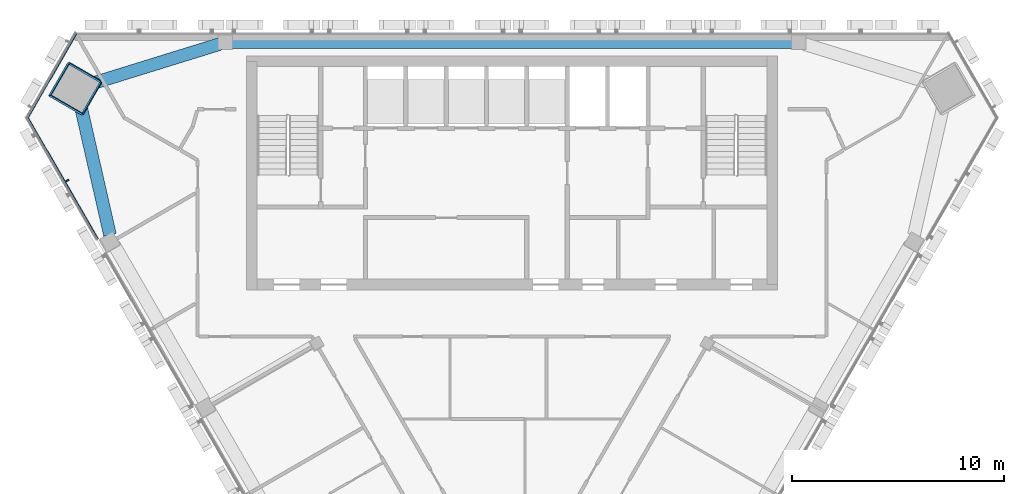
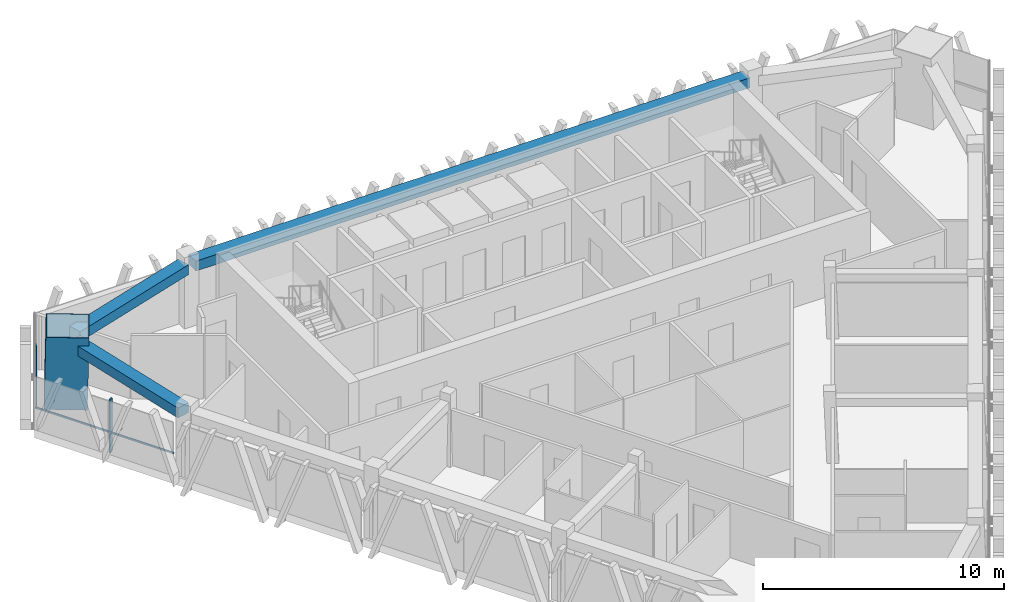
# One storey, part 5 of 12: 4 members, 3 beams, 2 elements without a shape of their own.
"""IFC4 building model written with IfcOpenShell, lengths in metres."""

import ifcopenshell
import ifcopenshell.guid

model = None  # the IFC model being written
_history = None  # IfcOwnerHistory: only IFC2X3 demands one
_inside = {}  # id of a spatial element -> (the spatial element, [elements in it])
_under = {}  # id of a project, library or spatial element -> (it, [spatial elements below it])
_declared = {}  # id of a project -> (the project, [libraries it declares])
_typed = {}  # id of a type object -> (the type object, [elements of that type])
_made_of = {}  # id of a material, layer set ... -> (it, [elements and type objects made of it])


def new_model(schema):
    """Start an empty IFC model of exactly this schema.

    Asked for "IFC4X3", IfcOpenShell would pick the latest addendum, in which some entities
    have other attributes; the version numbers below select the first issue.
    IFC2X3 requires an IfcOwnerHistory on every rooted entity: one is made here for all.
    """
    global model, _history
    if schema == "IFC4X3":
        model = ifcopenshell.file(schema_version=(4, 3, 0, 0))
    else:
        model = ifcopenshell.file(schema=schema)
    _inside.clear()
    _under.clear()
    _declared.clear()
    _typed.clear()
    _made_of.clear()
    _history = None
    if model.schema == "IFC2X3":
        org = make("IfcOrganization", Name="unknown")
        user = make(
            "IfcPersonAndOrganization",
            ThePerson=make("IfcPerson", FamilyName="unknown"),
            TheOrganization=org,
        )
        app = make(
            "IfcApplication",
            ApplicationDeveloper=org,
            Version="unknown",
            ApplicationFullName="unknown",
            ApplicationIdentifier="unknown",
        )
        _history = make(
            "IfcOwnerHistory",
            OwningUser=user,
            OwningApplication=app,
            ChangeAction="ADDED",
            CreationDate=0,
        )
    return model


def make(cls, **values):
    """One entity of the class cls with the attributes given. An attribute that is None is left unset."""
    return model.create_entity(
        cls, **{name: value for name, value in values.items() if value is not None}
    )


def rooted(cls, **values):
    """An entity with a GlobalId (a new one), such as an element, a storey or a relation."""
    return make(cls, GlobalId=ifcopenshell.guid.new(), OwnerHistory=_history, **values)


def si_unit(unit_type, name, prefix=None):
    """IfcSIUnit, for example si_unit("LENGTHUNIT", "METRE", prefix="MILLI")."""
    return make("IfcSIUnit", UnitType=unit_type, Prefix=prefix, Name=name)


def assignment(units):
    """IfcUnitAssignment: the units of a project."""
    return None if units is None else make("IfcUnitAssignment", Units=units)


def point(xyz):
    """IfcCartesianPoint."""
    return None if xyz is None else make("IfcCartesianPoint", Coordinates=xyz)


def direction(xyz):
    """IfcDirection."""
    return None if xyz is None else make("IfcDirection", DirectionRatios=xyz)


def frame(location, z_axis=None, x_axis=None):
    """IfcAxis2Placement3D, a coordinate frame: its origin and axes. An axis left out is left unset."""
    return make(
        "IfcAxis2Placement3D",
        Location=point(location),
        Axis=direction(z_axis),
        RefDirection=direction(x_axis),
    )


def frame_2d(location, x_axis=None):
    """IfcAxis2Placement2D, a coordinate frame in the plane: its origin and x axis."""
    return make(
        "IfcAxis2Placement2D", Location=point(location), RefDirection=direction(x_axis)
    )


def origin():
    """The frame at (0, 0, 0) with its axes left unset."""
    return frame((0.0, 0.0, 0.0))


def origin_2d():
    """The frame at (0, 0) in the plane with its x axis left unset."""
    return frame_2d((0.0, 0.0))


def place(relative_to, where):
    """IfcLocalPlacement: puts the frame where relative to a parent placement (None: the world)."""
    return make(
        "IfcLocalPlacement", PlacementRelTo=relative_to, RelativePlacement=where
    )


def context(
    kind, dimensions, precision=None, world=None, true_north=None, identifier=None
):
    """IfcGeometricRepresentationContext, for example the 3D "Model" context."""
    return make(
        "IfcGeometricRepresentationContext",
        ContextIdentifier=identifier,
        ContextType=kind,
        CoordinateSpaceDimension=dimensions,
        Precision=precision,
        WorldCoordinateSystem=world,
        TrueNorth=true_north,
    )


def subcontext(parent, identifier, kind, view, scale=None):
    """IfcGeometricRepresentationSubContext, for example "Body" below "Model"."""
    return make(
        "IfcGeometricRepresentationSubContext",
        ContextIdentifier=identifier,
        ContextType=kind,
        ParentContext=parent,
        TargetScale=scale,
        TargetView=view,
    )


def project(units=None, contexts=None):
    """IfcProject with its units and contexts."""
    return rooted(
        "IfcProject",
        Name="project",
        RepresentationContexts=contexts,
        UnitsInContext=assignment(units),
    )


def spatial(cls, under=None, at=None, **own):
    """A site, building, storey or space (cls), placed at a placement, below another one or the project."""
    s = rooted(cls, ObjectPlacement=at, **own)
    if under is not None:
        _under.setdefault(under.id(), (under, []))[1].append(s)
    return s


def profile(cls, at=None, kind="AREA", **sizes):
    """A parametric profile (cls). Its sizes go by their IFC names, for example OverallWidth=200.0."""
    return make(cls, ProfileType=kind, Position=at, **sizes)


def rectangle(**sizes):
    """IfcRectangleProfileDef."""
    return profile("IfcRectangleProfileDef", **sizes)


def hollow_rectangle(**sizes):
    """IfcRectangleHollowProfileDef."""
    return profile("IfcRectangleHollowProfileDef", **sizes)


def extrude(swept, where, along, depth):
    """IfcExtrudedAreaSolid: the profile swept, set in the frame where, extruded along a direction by depth."""
    return make(
        "IfcExtrudedAreaSolid",
        SweptArea=swept,
        Position=where,
        ExtrudedDirection=direction(along),
        Depth=depth,
    )


def shape(context_of_items, identifier, shape_type, items):
    """IfcShapeRepresentation: the items that make up one representation, for example the "Body"."""
    return make(
        "IfcShapeRepresentation",
        ContextOfItems=context_of_items,
        RepresentationIdentifier=identifier,
        RepresentationType=shape_type,
        Items=items,
    )


def material(Name=None, Category=None):
    """IfcMaterial."""
    return make("IfcMaterial", Name=Name, Category=Category)


def layer(
    of_material, thickness, ventilated=None, Name=None, Category=None, Priority=None
):
    """IfcMaterialLayer: one layer of a wall or slab, of a material (None: an air gap)."""
    return make(
        "IfcMaterialLayer",
        Material=of_material,
        LayerThickness=thickness,
        IsVentilated=ventilated,
        Name=Name,
        Category=Category,
        Priority=Priority,
    )


def layer_set(layers, Name=None):
    """IfcMaterialLayerSet."""
    return make("IfcMaterialLayerSet", MaterialLayers=layers, LayerSetName=Name)


def material_profile(
    of_material, cross_section, Name=None, Category=None, Priority=None
):
    """IfcMaterialProfile: a cross section and its material."""
    return make(
        "IfcMaterialProfile",
        Name=Name,
        Material=of_material,
        Profile=cross_section,
        Priority=Priority,
        Category=Category,
    )


def profile_set(profiles, Name=None, composite=None):
    """IfcMaterialProfileSet."""
    return make(
        "IfcMaterialProfileSet",
        Name=Name,
        MaterialProfiles=profiles,
        CompositeProfile=composite,
    )


def made_of(thing, what):
    """Note that an element or type object is made of a material, layer set ...; save() writes the relation."""
    if what is not None:
        _made_of.setdefault(what.id(), (what, []))[1].append(thing)
    return thing


def type_object(cls, material=None, **own):
    """A type object (cls), such as IfcWallType, which elements share."""
    return made_of(rooted(cls, **own), material)


def element(
    cls,
    number,
    at=None,
    inside=None,
    cuts=None,
    type_object=None,
    material=None,
    context=None,
    identifier="Body",
    shape_type=None,
    held_by="IfcProductDefinitionShape",
    body=None,
    shapes=None,
    **own,
):
    """One element of the class cls, such as IfcWall. Its Tag is "e" and its number.

    at: its placement. inside: the storey or other place that contains it. cuts: it is an
    opening in that element (IfcRelVoidsElement). A single representation is given by context,
    identifier, shape_type and body (its items); several are given by shapes. held_by: the class
    of the entity that holds the representations. save() writes the other relations.
    """
    e = rooted(cls, Tag="e%d" % number, ObjectPlacement=at, **own)
    if body is not None:
        shapes = [shape(context, identifier, shape_type, body)]
    if shapes is not None:
        e.Representation = make(held_by, Representations=shapes)
    if inside is not None:
        _inside.setdefault(inside.id(), (inside, []))[1].append(e)
    if cuts is not None:
        rooted(
            "IfcRelVoidsElement", RelatingBuildingElement=cuts, RelatedOpeningElement=e
        )
    if type_object is not None:
        _typed.setdefault(type_object.id(), (type_object, []))[1].append(e)
    return made_of(e, material)


def aggregate(whole, parts):
    """IfcRelAggregates: a whole, such as a stair, and the parts it consists of."""
    return rooted("IfcRelAggregates", RelatingObject=whole, RelatedObjects=parts)


def save(model, path):
    """Write the relations noted so far, then the file.

    IfcRelAggregates (storeys below a building ...), IfcRelContainedInSpatialStructure (elements
    in a storey), IfcRelDefinesByType, IfcRelAssociatesMaterial and IfcRelDeclares: one each for
    every whole, place, type object, material and project.
    """
    for whole, parts in _under.values():
        aggregate(whole, parts)
    for where, things in _inside.values():
        rooted(
            "IfcRelContainedInSpatialStructure",
            RelatedElements=things,
            RelatingStructure=where,
        )
    for kind, things in _typed.values():
        rooted("IfcRelDefinesByType", RelatedObjects=things, RelatingType=kind)
    for what, things in _made_of.values():
        rooted("IfcRelAssociatesMaterial", RelatedObjects=things, RelatingMaterial=what)
    for by, libraries in _declared.values():
        rooted("IfcRelDeclares", RelatingContext=by, RelatedDefinitions=libraries)
    model.write(path)


model = new_model("IFC4")

# Units and contexts
model_context = context("Model", 3, precision=1e-05, world=origin(), true_north=direction((0.0, 1.0)))
body_context = subcontext(model_context, "Body", "Model", "MODEL_VIEW")
ifc_project = project(units=[si_unit("LENGTHUNIT", "METRE"), si_unit("AREAUNIT", "SQUARE_METRE"), si_unit("VOLUMEUNIT", "CUBIC_METRE"), si_unit("PLANEANGLEUNIT", "RADIAN"), si_unit("MASSUNIT", "GRAM", prefix="KILO")], contexts=[model_context])

# Site, building, storey
site_placement = place(None, origin())
site = spatial("IfcSite", under=ifc_project, at=site_placement, CompositionType="ELEMENT")
building_placement = place(site_placement, origin())
building = spatial("IfcBuilding", under=site, at=building_placement, Name="Altiplano Prism Tower", CompositionType="ELEMENT")
storey_placement = place(building_placement, frame((0.0, 0.0, 278.800048828125)))
storey = spatial("IfcBuildingStorey", under=building, at=storey_placement, Name="L72", CompositionType="ELEMENT", Elevation=278.800048828125)

# Curtain wall, member
ifc_material_1 = material(Name="Aluminium and glass", Category="aluminium")
ifc_layer = layer(ifc_material_1, 0.280029296875)
ifc_layer_set = layer_set([ifc_layer], Name="Aluminium and glass")
curtain_wall_type = type_object("IfcCurtainWallType", Name="CW1 typical co-living unitised curtain wall", PredefinedType="NOTDEFINED", material=ifc_layer_set)
curtain_wall_1_placement = place(storey_placement, origin())
curtain_wall_1 = element("IfcCurtainWall", 1, at=curtain_wall_1_placement, inside=storey, type_object=curtain_wall_type, Name="CW1 curtain wall south-west face L72", PredefinedType="NOTDEFINED")
ifc_material_2 = material(Name="Aluminium", Category="aluminium")
ifc_material_profile_1 = material_profile(ifc_material_2, rectangle(XDim=0.179931640625, YDim=0.06494140625, at=origin_2d()), Name="CW1 mullion 65 x 180")
ifc_profile_set_1 = profile_set([ifc_material_profile_1], Name="Aluminium")
member_type_1 = type_object("IfcMemberType", Name="CW1 mullion 65 x 180", PredefinedType="MULLION", material=ifc_profile_set_1)
member_1_placement = place(storey_placement, frame((64.05615234375, 98.037109375, 0.0), z_axis=(0.0, 0.0, 1.0), x_axis=(0.866025409151, 0.499999990704, 0.0)))
member_1 = element("IfcMember", 2, at=member_1_placement, type_object=member_type_1, Name="CW1 mullion", PredefinedType="MULLION", context=body_context, shape_type="SweptSolid", body=[
    extrude(rectangle(XDim=0.179931640625, YDim=0.06494140625, at=origin_2d()), origin(), (0.0, 0.0, 1.0), 2.699951171875),
])

curtain_wall_2_placement = place(storey_placement, origin())
curtain_wall_2 = element("IfcCurtainWall", 3, at=curtain_wall_2_placement, inside=storey, type_object=curtain_wall_type, Name="CW1 curtain wall north-west chamfer L72", PredefinedType="NOTDEFINED")
ifc_material_profile_2 = material_profile(ifc_material_2, rectangle(XDim=0.06005859375, YDim=0.080078125, at=origin_2d()), Name="CW1 transom 80 x 60")
ifc_profile_set_2 = profile_set([ifc_material_profile_2], Name="Aluminium")
member_type_2 = type_object("IfcMemberType", Name="CW1 transom 80 x 60", PredefinedType="USERDEFINED", material=ifc_profile_set_2)
member_2_placement = place(storey_placement, frame((64.49365234375, 104.965087890625, 1.099853515625), z_axis=(-0.500012374333, -0.866018259342, 0.0), x_axis=(0.866018259342, -0.500012374333, 0.0)))
member_2 = element("IfcMember", 4, at=member_2_placement, type_object=member_type_2, Name="CW1 transom", ObjectType="TRANSOM", PredefinedType="USERDEFINED", context=body_context, shape_type="SweptSolid", body=[
    extrude(rectangle(XDim=0.06005859375, YDim=0.080078125, at=origin_2d()), origin(), (0.0, 0.0, 1.0), 4.61669921875),
])
aggregate(curtain_wall_2, [member_2])

# Member
member_3_placement = place(storey_placement, frame((62.185302734375, 101.037109375, 1.099853515625), z_axis=(0.500007942357, -0.866020818214, 0.0), x_axis=(0.866020818214, 0.500007942357, 0.0)))
member_3 = element("IfcMember", 5, at=member_3_placement, type_object=member_type_2, Name="CW1 transom", ObjectType="TRANSOM", PredefinedType="USERDEFINED", context=body_context, shape_type="SweptSolid", body=[
    extrude(rectangle(XDim=0.06005859375, YDim=0.080078125, at=origin_2d()), origin(), (0.0, 0.0, 1.0), 6.6376953125),
])

aggregate(curtain_wall_1, [member_1, member_3])

# Beams
ifc_material_3 = material(Name="Concrete C60/75", Category="concrete")
ifc_material_profile_3 = material_profile(ifc_material_3, rectangle(XDim=0.60009765625, YDim=0.5, at=origin_2d()), Name="Edge beam 600x500")
ifc_profile_set_3 = profile_set([ifc_material_profile_3], Name="Concrete C60/75")
beam_type = type_object("IfcBeamType", Name="Edge beam 600x500", PredefinedType="SPANDREL", material=ifc_profile_set_3)
beam_1_placement = place(storey_placement, frame((98.27001953125, 104.550048828125, 2.949951171875), z_axis=(-1.0, 0.0, 0.0), x_axis=(0.0, -1.0, 0.0)))
element("IfcBeam", 6, at=beam_1_placement, inside=storey, type_object=beam_type, Name="Edge beam P01-P04 L73", PredefinedType="SPANDREL", context=body_context, shape_type="SweptSolid", body=[
    extrude(rectangle(XDim=0.60009765625, YDim=0.5, at=origin_2d()), origin(), (0.0, 0.0, 1.0), 26.5400390625),
])
beam_2_placement = place(storey_placement, frame((71.2646484375, 104.47705078125, 2.949951171875), z_axis=(-0.955249943617, -0.295799839788, 0.0), x_axis=(0.295799839788, -0.955249943617, 0.0)))
element("IfcBeam", 7, at=beam_2_placement, inside=storey, type_object=beam_type, Name="Edge beam P04-M0 L73", PredefinedType="SPANDREL", context=body_context, shape_type="SweptSolid", body=[
    extrude(rectangle(XDim=0.60009765625, YDim=0.5, at=origin_2d()), origin(), (0.0, 0.0, 1.0), 6.624267578125),
])
beam_3_placement = place(storey_placement, frame((64.606689453125, 101.945556640625, 2.949951171875), z_axis=(0.221423574749, -0.975177727671, 0.0), x_axis=(0.975177727671, 0.221423574749, 0.0)))
element("IfcBeam", 8, at=beam_3_placement, inside=storey, type_object=beam_type, Name="Edge beam M0-P11 L73", PredefinedType="SPANDREL", context=body_context, shape_type="SweptSolid", body=[
    extrude(rectangle(XDim=0.60009765625, YDim=0.5, at=origin_2d()), origin(), (0.0, 0.0, 1.0), 6.62451171875),
])

# Member
ifc_material_4 = material(Name="Steel S460", Category="steel")
ifc_material_profile_4 = material_profile(ifc_material_4, hollow_rectangle(XDim=1.800048828125, YDim=1.800048828125, WallThickness=0.0400390625, at=origin_2d()), Name="Mega column tube 1800")
ifc_profile_set_4 = profile_set([ifc_material_profile_4], Name="Steel S460")
member_type_3 = type_object("IfcMemberType", Name="Mega column tube 1800", PredefinedType="POST", material=ifc_profile_set_4)
member_4_placement = place(storey_placement, frame((64.40478515625, 102.35107421875, 0.0), z_axis=(0.028336004223, 0.009219369795, 0.999555938447), x_axis=(-0.865480451458, 0.500546547608, 0.019918378992)))
element("IfcMember", 9, at=member_4_placement, inside=storey, type_object=member_type_3, Name="Mega column tube M0 L72", PredefinedType="POST", context=body_context, shape_type="SweptSolid", body=[
    extrude(hollow_rectangle(XDim=1.800048828125, YDim=1.800048828125, WallThickness=0.0400390625, at=origin_2d()), origin(), (0.0, 0.0, 1.0), 3.6015625),
])

save(model, "model.ifc")
